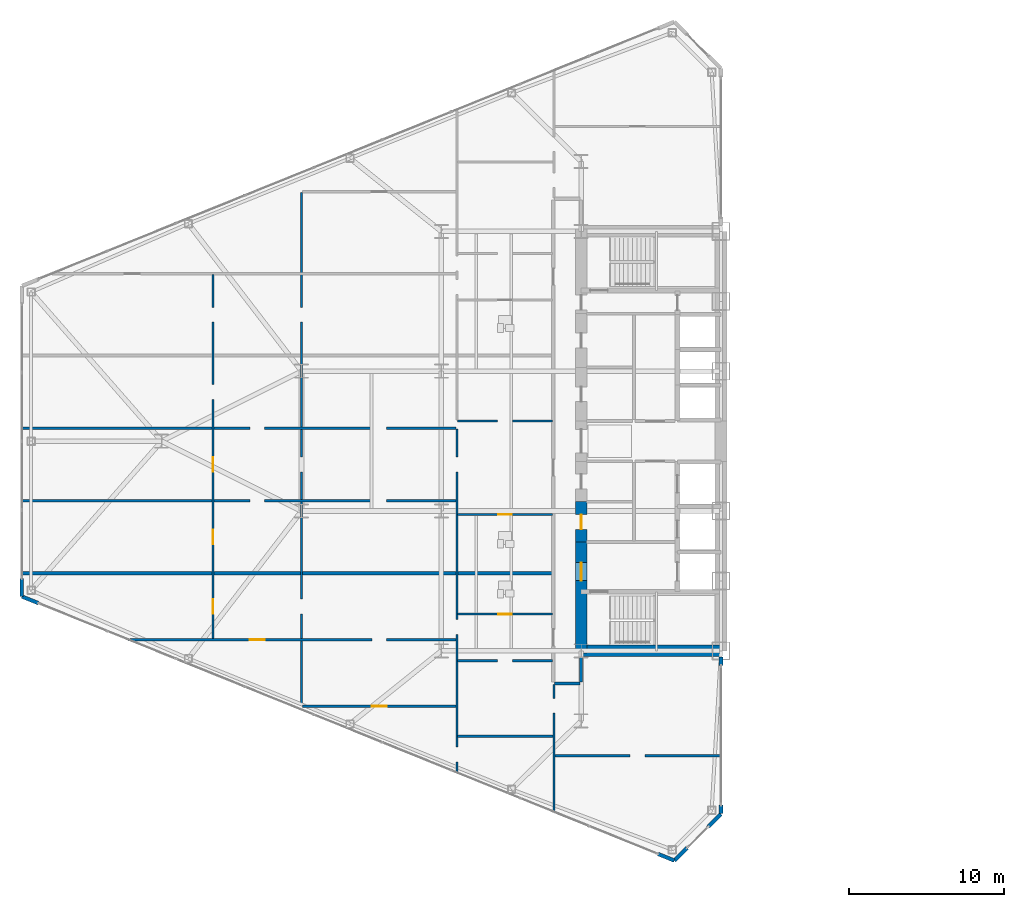
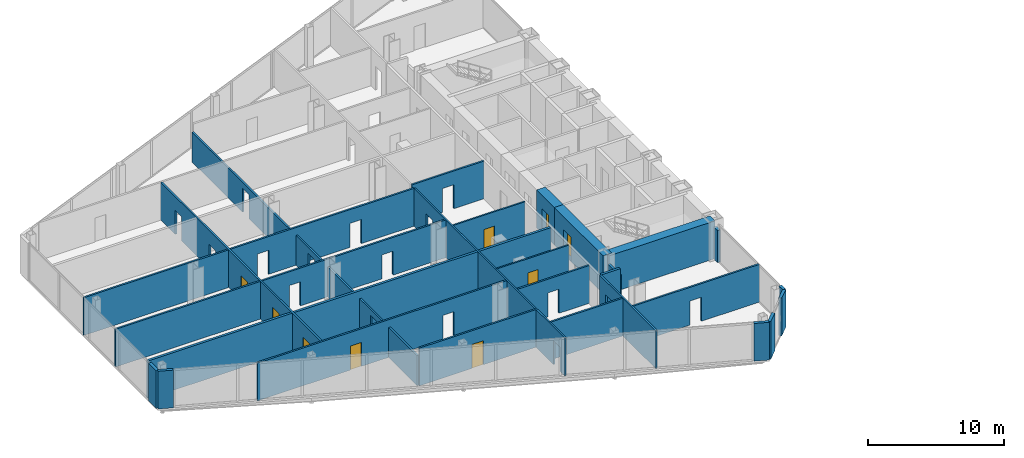
# One storey, part 17 of 25: 27 walls, 9 doors, 26 openings.
"""IFC4 building model written with IfcOpenShell, lengths in metres."""

from ifc_helpers import new_model, si_unit, direction, frame, frame_2d, origin, place, context, subcontext, project, spatial, rectangle, extrude, source, transform, mapped, material, layer, layer_set, type_object, type_shapes, element, fill, save


model = new_model("IFC4")

# Units and contexts
model_context = context("Model", 3, precision=1e-05, world=origin(), true_north=direction((0.0, 1.0)))
body_context = subcontext(model_context, "Body", "Model", "MODEL_VIEW")
ifc_project = project(units=[si_unit("LENGTHUNIT", "METRE"), si_unit("AREAUNIT", "SQUARE_METRE"), si_unit("VOLUMEUNIT", "CUBIC_METRE"), si_unit("PLANEANGLEUNIT", "RADIAN"), si_unit("MASSUNIT", "GRAM", prefix="KILO")], contexts=[model_context])

# Site, building, storey
site_placement = place(None, origin())
site = spatial("IfcSite", under=ifc_project, at=site_placement, CompositionType="ELEMENT")
building_placement = place(site_placement, origin())
building = spatial("IfcBuilding", under=site, at=building_placement, Name="Seokmaru Belvedere", CompositionType="ELEMENT")
storey_placement = place(building_placement, frame((0.0, 0.0, 51.300048828125)))
storey = spatial("IfcBuildingStorey", under=building, at=storey_placement, Name="L13", CompositionType="ELEMENT", Elevation=51.300048828125)

# Wall, opening
ifc_material_1 = material(Name="Fire-Rated Gypsum Shaftwall")
ifc_layer_1 = layer(ifc_material_1, 0.14990234375)
ifc_layer_set_1 = layer_set([ifc_layer_1], Name="Fire-Rated Gypsum Shaftwall")
wall_type_1 = type_object("IfcWallType", Name="Apartment Fire-Acoustic Room Partition 150", PredefinedType="PARTITIONING", material=ifc_layer_set_1)
wall_1_placement = place(storey_placement, frame((-38.199951171875, -20.25, 0.0), z_axis=(0.0, 0.0, 1.0), x_axis=(1.0, 0.0, 0.0)))
wall_1 = element("IfcWall", 1, at=wall_1_placement, inside=storey, type_object=wall_type_1, Name="L13 Interior Partition 001", PredefinedType="PARTITIONING", context=body_context, shape_type="SweptSolid", body=[
    extrude(rectangle(XDim=10.73486328125, YDim=0.14990234375, at=frame_2d((5.367431640625, 0.0))), origin(), (0.0, 0.0, 1.0), 3.3798828125),
])
opening_1_placement = place(wall_1_placement, frame((4.85009765625, 0.0, 0.0)))
element("IfcOpeningElement", 2, at=opening_1_placement, cuts=wall_1, Name="L13 Cased Opening 012", PredefinedType="OPENING", context=body_context, shape_type="SweptSolid", body=[
    extrude(rectangle(XDim=0.949951171875, YDim=2.14990234375, at=frame_2d((0.47509765625, 1.074951171875))), frame((0.0, 0.0849609375, 0.0), z_axis=(0.0, -1.0, 0.0), x_axis=(1.0, 0.0, 0.0)), (0.0, 0.0, 1.0), 0.169921875),
])

# Wall
wall_2_placement = place(storey_placement, frame((-44.449951171875, -19.0, 0.0), z_axis=(0.0, 0.0, 1.0), x_axis=(1.0, 0.0, 0.0)))
element("IfcWall", 3, at=wall_2_placement, inside=storey, type_object=wall_type_1, Name="L13 Interior Partition 002", PredefinedType="PARTITIONING", context=body_context, shape_type="SweptSolid", body=[
    extrude(rectangle(XDim=6.14990234375, YDim=0.14990234375, at=frame_2d((3.074951171875, 0.0))), origin(), (0.0, 0.0, 1.0), 3.3798828125),
])

# Wall, opening, door
wall_3_placement = place(storey_placement, frame((-54.449951171875, -17.06005859375, 0.0), z_axis=(0.0, 0.0, 1.0), x_axis=(1.0, 0.0, 0.0)))
wall_3 = element("IfcWall", 4, at=wall_3_placement, inside=storey, type_object=wall_type_1, Name="L13 Interior Partition 003", PredefinedType="PARTITIONING", context=body_context, shape_type="SweptSolid", body=[
    extrude(rectangle(XDim=9.89990234375, YDim=0.14990234375, at=frame_2d((4.949951171875, 0.0))), origin(), (0.0, 0.0, 1.0), 3.3798828125),
])
opening_2_placement = place(wall_3_placement, frame((4.47509765625, 0.0, 0.0)))
opening_2 = element("IfcOpeningElement", 5, at=opening_2_placement, cuts=wall_3, Name="Opening D05", PredefinedType="OPENING", context=body_context, shape_type="SweptSolid", body=[
    extrude(rectangle(XDim=0.949951171875, YDim=2.14990234375, at=frame_2d((0.47509765625, 1.074951171875))), frame((0.0, 0.0849609375, 0.0), z_axis=(0.0, -1.0, 0.0), x_axis=(1.0, 0.0, 0.0)), (0.0, 0.0, 1.0), 0.169921875),
])
ifc_material_2 = material(Name="Engineered White Oak Timber", Category="wood")
door_type_1 = type_object("IfcDoorType", Name="Apartment Interior Fire-Rated Oak Door 950x2150", OperationType="NOTDEFINED", PredefinedType="DOOR", material=ifc_material_2)
shared_shape_1 = source(origin(), body_context, "Body", "SweptSolid", [
    extrude(rectangle(XDim=0.949951171875, YDim=2.14990234375, at=frame_2d((0.47509765625, 1.074951171875))), frame((0.0, 0.02490234375, 0.0), z_axis=(0.0, -1.0, 0.0), x_axis=(1.0, 0.0, 0.0)), (0.0, 0.0, 1.0), 0.050048828125),
])
type_shapes(door_type_1, [shared_shape_1])
door_1_placement = place(opening_2_placement, origin())
door_1 = element("IfcDoor", 6, at=door_1_placement, inside=storey, type_object=door_type_1, Name="L13 Interior Door 009", OperationType="SINGLE_SWING_RIGHT", OverallHeight=2.14990234375, OverallWidth=0.949951171875, PredefinedType="DOOR", context=body_context, shape_type="MappedRepresentation", body=[
    mapped(shared_shape_1, transform((0.0, 0.0, 0.0), scale=1.0)),
])
fill(opening_2, door_1)

# Wall, opening
wall_4_placement = place(storey_placement, frame((-44.449951171875, -14.139892578125, 0.0), z_axis=(0.0, 0.0, 1.0), x_axis=(1.0, 0.0, 0.0)))
wall_4 = element("IfcWall", 7, at=wall_4_placement, inside=storey, type_object=wall_type_1, Name="L13 Interior Partition 006", PredefinedType="PARTITIONING", context=body_context, shape_type="SweptSolid", body=[
    extrude(rectangle(XDim=6.099853515625, YDim=0.14990234375, at=frame_2d((3.0498046875, 0.0))), origin(), (0.0, 0.0, 1.0), 3.3798828125),
])
opening_3_placement = place(wall_4_placement, frame((2.574951171875, 0.0, 0.0)))
element("IfcOpeningElement", 8, at=opening_3_placement, cuts=wall_4, Name="L13 Cased Opening 003", PredefinedType="OPENING", context=body_context, shape_type="SweptSolid", body=[
    extrude(rectangle(XDim=0.949951171875, YDim=2.14990234375, at=frame_2d((0.47509765625, 1.074951171875))), frame((0.0, 0.0849609375, 0.0), z_axis=(0.0, -1.0, 0.0), x_axis=(1.0, 0.0, 0.0)), (0.0, 0.0, 1.0), 0.169921875),
])

# Wall, openings, door
wall_5_placement = place(storey_placement, frame((-65.672119140625, -12.780029296875, 0.0), z_axis=(0.0, 0.0, 1.0), x_axis=(1.0, 0.0, 0.0)))
wall_5 = element("IfcWall", 9, at=wall_5_placement, inside=storey, type_object=wall_type_1, Name="L13 Interior Partition 007", PredefinedType="PARTITIONING", context=body_context, shape_type="SweptSolid", body=[
    extrude(rectangle(XDim=21.1220703125, YDim=0.14990234375, at=frame_2d((10.56103515625, 0.0))), origin(), (0.0, 0.0, 1.0), 3.3798828125),
])
opening_4_placement = place(wall_5_placement, frame((15.697021484375, 0.0, 0.0)))
element("IfcOpeningElement", 10, at=opening_4_placement, cuts=wall_5, Name="L13 Cased Opening 006", PredefinedType="OPENING", context=body_context, shape_type="SweptSolid", body=[
    extrude(rectangle(XDim=0.949951171875, YDim=2.14990234375, at=frame_2d((0.47509765625, 1.074951171875))), frame((0.0, 0.0849609375, 0.0), z_axis=(0.0, -1.0, 0.0), x_axis=(1.0, 0.0, 0.0)), (0.0, 0.0, 1.0), 0.169921875),
])
opening_5_placement = place(wall_5_placement, frame((7.846923828125, 0.0, 0.0)))
opening_5 = element("IfcOpeningElement", 11, at=opening_5_placement, cuts=wall_5, Name="Opening D05", PredefinedType="OPENING", context=body_context, shape_type="SweptSolid", body=[
    extrude(rectangle(XDim=0.949951171875, YDim=2.14990234375, at=frame_2d((0.47509765625, 1.074951171875))), frame((0.0, 0.0849609375, 0.0), z_axis=(0.0, -1.0, 0.0), x_axis=(1.0, 0.0, 0.0)), (0.0, 0.0, 1.0), 0.169921875),
])
door_2_placement = place(opening_5_placement, origin())
door_2 = element("IfcDoor", 12, at=door_2_placement, inside=storey, type_object=door_type_1, Name="L13 Interior Door 007", OperationType="SINGLE_SWING_LEFT", OverallHeight=2.14990234375, OverallWidth=0.949951171875, PredefinedType="DOOR", context=body_context, shape_type="MappedRepresentation", body=[
    mapped(shared_shape_1, transform((0.0, 0.0, 0.0), scale=1.0)),
])
fill(opening_5, door_2)

# Wall, openings
wall_6_placement = place(storey_placement, frame((-72.534912109375, -3.830078125, 0.0), z_axis=(0.0, 0.0, 1.0), x_axis=(1.0, 0.0, 0.0)))
wall_6 = element("IfcWall", 13, at=wall_6_placement, inside=storey, type_object=wall_type_1, Name="L13 Interior Partition 014", PredefinedType="PARTITIONING", context=body_context, shape_type="SweptSolid", body=[
    extrude(rectangle(XDim=27.98486328125, YDim=0.14990234375, at=frame_2d((13.992431640625, 0.0))), origin(), (0.0, 0.0, 1.0), 3.3798828125),
])
opening_6_placement = place(wall_6_placement, frame((22.56005859375, 0.0, 0.0)))
element("IfcOpeningElement", 14, at=opening_6_placement, cuts=wall_6, Name="L13 Cased Opening 018", PredefinedType="OPENING", context=body_context, shape_type="SweptSolid", body=[
    extrude(rectangle(XDim=0.949951171875, YDim=2.14990234375, at=frame_2d((0.47509765625, 1.074951171875))), frame((0.0, 0.0849609375, 0.0), z_axis=(0.0, -1.0, 0.0), x_axis=(1.0, 0.0, 0.0)), (0.0, 0.0, 1.0), 0.169921875),
])
opening_7_placement = place(wall_6_placement, frame((14.7099609375, 0.0, 0.0)))
element("IfcOpeningElement", 15, at=opening_7_placement, cuts=wall_6, Name="L13 Cased Opening 020", PredefinedType="OPENING", context=body_context, shape_type="SweptSolid", body=[
    extrude(rectangle(XDim=0.949951171875, YDim=2.14990234375, at=frame_2d((0.47509765625, 1.074951171875))), frame((0.0, 0.0849609375, 0.0), z_axis=(0.0, -1.0, 0.0), x_axis=(1.0, 0.0, 0.0)), (0.0, 0.0, 1.0), 0.169921875),
])

wall_7_placement = place(storey_placement, frame((-72.534912109375, 0.830078125, 0.0), z_axis=(0.0, 0.0, 1.0), x_axis=(1.0, 0.0, 0.0)))
wall_7 = element("IfcWall", 16, at=wall_7_placement, inside=storey, type_object=wall_type_1, Name="L13 Interior Partition 017", PredefinedType="PARTITIONING", context=body_context, shape_type="SweptSolid", body=[
    extrude(rectangle(XDim=27.98486328125, YDim=0.14990234375, at=frame_2d((13.992431640625, 0.0))), origin(), (0.0, 0.0, 1.0), 3.3798828125),
])
opening_8_placement = place(wall_7_placement, frame((22.56005859375, 0.0, 0.0)))
element("IfcOpeningElement", 17, at=opening_8_placement, cuts=wall_7, Name="L13 Cased Opening 019", PredefinedType="OPENING", context=body_context, shape_type="SweptSolid", body=[
    extrude(rectangle(XDim=0.949951171875, YDim=2.14990234375, at=frame_2d((0.47509765625, 1.074951171875))), frame((0.0, 0.0849609375, 0.0), z_axis=(0.0, -1.0, 0.0), x_axis=(1.0, 0.0, 0.0)), (0.0, 0.0, 1.0), 0.169921875),
])
opening_9_placement = place(wall_7_placement, frame((14.7099609375, 0.0, 0.0)))
element("IfcOpeningElement", 18, at=opening_9_placement, cuts=wall_7, Name="L13 Cased Opening 023", PredefinedType="OPENING", context=body_context, shape_type="SweptSolid", body=[
    extrude(rectangle(XDim=0.949951171875, YDim=2.14990234375, at=frame_2d((0.47509765625, 1.074951171875))), frame((0.0, 0.0849609375, 0.0), z_axis=(0.0, -1.0, 0.0), x_axis=(1.0, 0.0, 0.0)), (0.0, 0.0, 1.0), 0.169921875),
])

# Wall, opening
wall_8_placement = place(storey_placement, frame((-44.449951171875, 1.300048828125, 0.0), z_axis=(0.0, 0.0, 1.0), x_axis=(1.0, 0.0, 0.0)))
wall_8 = element("IfcWall", 19, at=wall_8_placement, inside=storey, type_object=wall_type_1, Name="L13 Interior Partition 018", PredefinedType="PARTITIONING", context=body_context, shape_type="SweptSolid", body=[
    extrude(rectangle(XDim=6.099853515625, YDim=0.14990234375, at=frame_2d((3.0498046875, 0.0))), origin(), (0.0, 0.0, 1.0), 3.3798828125),
])
opening_10_placement = place(wall_8_placement, frame((2.574951171875, 0.0, 0.0)))
element("IfcOpeningElement", 20, at=opening_10_placement, cuts=wall_8, Name="L13 Cased Opening 015", PredefinedType="OPENING", context=body_context, shape_type="SweptSolid", body=[
    extrude(rectangle(XDim=0.949951171875, YDim=2.14990234375, at=frame_2d((0.47509765625, 1.074951171875))), frame((0.0, 0.0849609375, 0.0), z_axis=(0.0, -1.0, 0.0), x_axis=(1.0, 0.0, 0.0)), (0.0, 0.0, 1.0), 0.169921875),
])

# Wall, openings, doors
wall_9_placement = place(storey_placement, frame((-60.199951171875, -12.72802734375, 0.0), z_axis=(0.0, 0.0, 1.0), x_axis=(0.0, 1.0, 0.0)))
wall_9 = element("IfcWall", 21, at=wall_9_placement, inside=storey, type_object=wall_type_1, Name="L13 Interior Partition 034", PredefinedType="PARTITIONING", context=body_context, shape_type="SweptSolid", body=[
    extrude(rectangle(XDim=23.4560546875, YDim=0.14990234375, at=frame_2d((11.72802734375, 0.0))), origin(), (0.0, 0.0, 1.0), 3.3798828125),
])
opening_11_placement = place(wall_9_placement, frame((1.614013671875, 0.0, 0.0)))
opening_11 = element("IfcOpeningElement", 22, at=opening_11_placement, cuts=wall_9, Name="Opening D05", PredefinedType="OPENING", context=body_context, shape_type="SweptSolid", body=[
    extrude(rectangle(XDim=0.949951171875, YDim=2.14990234375, at=frame_2d((0.47509765625, 1.074951171875))), frame((0.0, 0.0849609375, 0.0), z_axis=(0.0, -1.0, 0.0), x_axis=(1.0, 0.0, 0.0)), (0.0, 0.0, 1.0), 0.169921875),
])
opening_12_placement = place(wall_9_placement, frame((6.08642578125, 0.0, 0.0)))
opening_12 = element("IfcOpeningElement", 23, at=opening_12_placement, cuts=wall_9, Name="Opening D05", PredefinedType="OPENING", context=body_context, shape_type="SweptSolid", body=[
    extrude(rectangle(XDim=0.949951171875, YDim=2.14990234375, at=frame_2d((0.47509765625, 1.074951171875))), frame((0.0, 0.0849609375, 0.0), z_axis=(0.0, -1.0, 0.0), x_axis=(1.0, 0.0, 0.0)), (0.0, 0.0, 1.0), 0.169921875),
])
opening_13_placement = place(wall_9_placement, frame((10.7529296875, 0.0, 0.0)))
opening_13 = element("IfcOpeningElement", 24, at=opening_13_placement, cuts=wall_9, Name="Opening D05", PredefinedType="OPENING", context=body_context, shape_type="SweptSolid", body=[
    extrude(rectangle(XDim=0.949951171875, YDim=2.14990234375, at=frame_2d((0.47509765625, 1.074951171875))), frame((0.0, 0.0849609375, 0.0), z_axis=(0.0, -1.0, 0.0), x_axis=(1.0, 0.0, 0.0)), (0.0, 0.0, 1.0), 0.169921875),
])
opening_14_placement = place(wall_9_placement, frame((15.419677734375, 0.0, 0.0)))
element("IfcOpeningElement", 25, at=opening_14_placement, cuts=wall_9, Name="L13 Cased Opening 024", PredefinedType="OPENING", context=body_context, shape_type="SweptSolid", body=[
    extrude(rectangle(XDim=0.949951171875, YDim=2.14990234375, at=frame_2d((0.47509765625, 1.074951171875))), frame((0.0, 0.0849609375, 0.0), z_axis=(0.0, -1.0, 0.0), x_axis=(1.0, 0.0, 0.0)), (0.0, 0.0, 1.0), 0.169921875),
])
opening_15_placement = place(wall_9_placement, frame((20.391845703125, 0.0, 0.0)))
element("IfcOpeningElement", 26, at=opening_15_placement, cuts=wall_9, Name="L13 Cased Opening 031", PredefinedType="OPENING", context=body_context, shape_type="SweptSolid", body=[
    extrude(rectangle(XDim=0.949951171875, YDim=2.14990234375, at=frame_2d((0.47509765625, 1.074951171875))), frame((0.0, 0.0849609375, 0.0), z_axis=(0.0, -1.0, 0.0), x_axis=(1.0, 0.0, 0.0)), (0.0, 0.0, 1.0), 0.169921875),
])
door_3_placement = place(opening_11_placement, origin())
door_3 = element("IfcDoor", 27, at=door_3_placement, inside=storey, type_object=door_type_1, Name="L13 Interior Door 008", OperationType="SINGLE_SWING_RIGHT", OverallHeight=2.14990234375, OverallWidth=0.949951171875, PredefinedType="DOOR", context=body_context, shape_type="MappedRepresentation", body=[
    mapped(shared_shape_1, transform((0.0, 0.0, 0.0), scale=1.0)),
])
fill(opening_11, door_3)
door_4_placement = place(opening_12_placement, origin())
door_4 = element("IfcDoor", 28, at=door_4_placement, inside=storey, type_object=door_type_1, Name="L13 Interior Door 021", OperationType="SINGLE_SWING_RIGHT", OverallHeight=2.14990234375, OverallWidth=0.949951171875, PredefinedType="DOOR", context=body_context, shape_type="MappedRepresentation", body=[
    mapped(shared_shape_1, transform((0.0, 0.0, 0.0), scale=1.0)),
])
fill(opening_12, door_4)
door_5_placement = place(opening_13_placement, origin())
door_5 = element("IfcDoor", 29, at=door_5_placement, inside=storey, type_object=door_type_1, Name="L13 Interior Door 022", OperationType="SINGLE_SWING_RIGHT", OverallHeight=2.14990234375, OverallWidth=0.949951171875, PredefinedType="DOOR", context=body_context, shape_type="MappedRepresentation", body=[
    mapped(shared_shape_1, transform((0.0, 0.0, 0.0), scale=1.0)),
])
fill(opening_13, door_5)

# Wall, openings
wall_10_placement = place(storey_placement, frame((-54.5, -17.006103515625, 0.0), z_axis=(0.0, 0.0, 1.0), x_axis=(0.0, 1.0, 0.0)))
wall_10 = element("IfcWall", 30, at=wall_10_placement, inside=storey, type_object=wall_type_1, Name="L13 Interior Partition 035", PredefinedType="PARTITIONING", context=body_context, shape_type="SweptSolid", body=[
    extrude(rectangle(XDim=33.01220703125, YDim=0.14990234375, at=frame_2d((16.506103515625, 0.0))), origin(), (0.0, 0.0, 1.0), 2.679931640625),
])
opening_16_placement = place(wall_10_placement, frame((5.89208984375, 0.0, 0.0)))
element("IfcOpeningElement", 31, at=opening_16_placement, cuts=wall_10, Name="L13 Cased Opening 005", PredefinedType="OPENING", context=body_context, shape_type="SweptSolid", body=[
    extrude(rectangle(XDim=0.949951171875, YDim=2.14990234375, at=frame_2d((0.47509765625, 1.074951171875))), frame((0.0, 0.0849609375, 0.0), z_axis=(0.0, -1.0, 0.0), x_axis=(1.0, 0.0, 0.0)), (0.0, 0.0, 1.0), 0.169921875),
])
opening_17_placement = place(wall_10_placement, frame((15.031005859375, 0.0, 0.0)))
element("IfcOpeningElement", 32, at=opening_17_placement, cuts=wall_10, Name="L13 Cased Opening 017", PredefinedType="OPENING", context=body_context, shape_type="SweptSolid", body=[
    extrude(rectangle(XDim=0.949951171875, YDim=2.14990234375, at=frame_2d((0.47509765625, 1.074951171875))), frame((0.0, 0.0849609375, 0.0), z_axis=(0.0, -1.0, 0.0), x_axis=(1.0, 0.0, 0.0)), (0.0, 0.0, 1.0), 0.169921875),
])
opening_18_placement = place(wall_10_placement, frame((24.669921875, 0.0, 0.0)))
element("IfcOpeningElement", 33, at=opening_18_placement, cuts=wall_10, Name="L13 Cased Opening 030", PredefinedType="OPENING", context=body_context, shape_type="SweptSolid", body=[
    extrude(rectangle(XDim=0.949951171875, YDim=2.14990234375, at=frame_2d((0.47509765625, 1.074951171875))), frame((0.0, 0.0849609375, 0.0), z_axis=(0.0, -1.0, 0.0), x_axis=(1.0, 0.0, 0.0)), (0.0, 0.0, 1.0), 0.169921875),
])

# Wall, opening
wall_11_placement = place(storey_placement, frame((-38.25, -23.89794921875, 0.0), z_axis=(0.0, 0.0, 1.0), x_axis=(0.0, 1.0, 0.0)))
wall_11 = element("IfcWall", 34, at=wall_11_placement, inside=storey, type_object=wall_type_1, Name="L13 Interior Partition 039", PredefinedType="PARTITIONING", context=body_context, shape_type="SweptSolid", body=[
    extrude(rectangle(XDim=8.248046875, YDim=0.14990234375, at=frame_2d((4.1240234375, 0.0))), origin(), (0.0, 0.0, 1.0), 3.3798828125),
])
opening_19_placement = place(wall_11_placement, frame((6.390869140625, 0.0, 0.0)))
element("IfcOpeningElement", 35, at=opening_19_placement, cuts=wall_11, Name="L13 Cased Opening 011", PredefinedType="OPENING", context=body_context, shape_type="SweptSolid", body=[
    extrude(rectangle(XDim=0.949951171875, YDim=2.14990234375, at=frame_2d((0.47509765625, 1.074951171875))), frame((0.0, 0.0849609375, 0.0), z_axis=(0.0, -1.0, 0.0), x_axis=(1.0, 0.0, 0.0)), (0.0, 0.0, 1.0), 0.169921875),
])

# Walls
ifc_layer_2 = layer(ifc_material_1, 0.199951171875)
ifc_layer_set_2 = layer_set([ifc_layer_2], Name="Fire-Rated Gypsum Shaftwall")
wall_type_2 = type_object("IfcWallType", Name="Inter-Tenancy Fire Compartment Partition 200", PredefinedType="PARTITIONING", material=ifc_layer_set_2)
wall_12_placement = place(storey_placement, frame((-38.215087890625, -15.60009765625, 0.0), z_axis=(0.0, 0.0, 1.0), x_axis=(1.0, 0.0, 0.0)))
element("IfcWall", 36, at=wall_12_placement, inside=storey, type_object=wall_type_2, Name="L13 Interior Partition 004", PredefinedType="PARTITIONING", context=body_context, shape_type="SweptSolid", body=[
    extrude(rectangle(XDim=1.630126953125, YDim=0.199951171875, at=frame_2d((0.81494140625, 0.0))), origin(), (0.0, 0.0, 1.0), 3.3798828125),
])
wall_13_placement = place(storey_placement, frame((-72.5048828125, -8.5, 0.0), z_axis=(0.0, 0.0, 1.0), x_axis=(1.0, 0.0, 0.0)))
element("IfcWall", 37, at=wall_13_placement, inside=storey, type_object=wall_type_2, Name="L13 Interior Partition 011", PredefinedType="PARTITIONING", context=body_context, shape_type="SweptSolid", body=[
    extrude(rectangle(XDim=34.125, YDim=0.199951171875, at=frame_2d((17.0625, 0.0))), origin(), (0.0, 0.0, 1.0), 3.3798828125),
])
wall_14_placement = place(storey_placement, frame((-36.5, -15.514892578125, 0.0), z_axis=(0.0, 0.0, 1.0), x_axis=(0.0, 1.0, 0.0)))
element("IfcWall", 38, at=wall_14_placement, inside=storey, type_object=wall_type_2, Name="L13 Interior Partition 041", PredefinedType="PARTITIONING", context=body_context, shape_type="SweptSolid", body=[
    extrude(rectangle(XDim=1.635009765625, YDim=0.199951171875, at=frame_2d((0.8173828125, 0.0))), origin(), (0.0, 0.0, 1.0), 2.679931640625),
])
ifc_material_3 = material(Name="Concrete C60 (60 MPa)", Category="concrete")
ifc_layer_3 = layer(ifc_material_3, 0.75)
ifc_layer_set_3 = layer_set([ifc_layer_3], Name="Concrete C60 (60 MPa)")
wall_type_3 = type_object("IfcWallType", Name="Lower Tower Reinforced Concrete Core Wall 750", PredefinedType="SHEAR", material=ifc_layer_set_3)
wall_15_placement = place(storey_placement, frame((-36.5, -13.5, 0.0), z_axis=(0.0, 0.0, 1.0), x_axis=(1.0, 0.0, 0.0)))
element("IfcWall", 39, at=wall_15_placement, inside=storey, type_object=wall_type_3, Name="L13 West South Core Wall", PredefinedType="SHEAR", context=body_context, shape_type="SweptSolid", body=[
    extrude(rectangle(XDim=9.0, YDim=0.75, at=frame_2d((4.5, 0.0))), origin(), (0.0, 0.0, 1.0), 3.3798828125),
])

# Wall, opening, door
wall_16_placement = place(storey_placement, frame((-36.5, -13.64990234375, 0.0), z_axis=(0.0, 0.0, 1.0), x_axis=(0.0, 1.0, 0.0)))
wall_16 = element("IfcWall", 40, at=wall_16_placement, inside=storey, type_object=wall_type_3, Name="L13 West West Core Wall FF", PredefinedType="SHEAR", context=body_context, shape_type="SweptSolid", body=[
    extrude(rectangle(XDim=7.14990234375, YDim=0.75, at=frame_2d((3.574951171875, 0.0))), origin(), (0.0, 0.0, 1.0), 3.3798828125),
])
opening_20_placement = place(wall_16_placement, frame((4.675048828125, 0.0, 0.0)))
opening_20 = element("IfcOpeningElement", 41, at=opening_20_placement, cuts=wall_16, Name="Opening D02", PredefinedType="OPENING", context=body_context, shape_type="SweptSolid", body=[
    extrude(rectangle(XDim=1.14990234375, YDim=2.199951171875, at=frame_2d((0.574951171875, 1.10009765625))), frame((0.0, 0.385009765625, 0.0), z_axis=(0.0, -1.0, 0.0), x_axis=(1.0, 0.0, 0.0)), (0.0, 0.0, 1.0), 0.77001953125),
])
ifc_material_4 = material(Name="Fire-Rated Steel Leaf", Category="steel")
door_type_2 = type_object("IfcDoorType", Name="Lobby and Vestibule Fire Door 1150x2200", OperationType="NOTDEFINED", PredefinedType="DOOR", material=ifc_material_4)
shared_shape_2 = source(origin(), body_context, "Body", "SweptSolid", [
    extrude(rectangle(XDim=1.14990234375, YDim=2.199951171875, at=frame_2d((0.574951171875, 1.10009765625))), frame((0.0, 0.02490234375, 0.0), z_axis=(0.0, -1.0, 0.0), x_axis=(1.0, 0.0, 0.0)), (0.0, 0.0, 1.0), 0.050048828125),
])
type_shapes(door_type_2, [shared_shape_2])
door_6_placement = place(opening_20_placement, frame((1.14990234375, 0.0, 0.0), z_axis=(0.0, 0.0, 1.0), x_axis=(-1.0, 0.0, 0.0)))
door_6 = element("IfcDoor", 42, at=door_6_placement, inside=storey, type_object=door_type_2, Name="L13 West Firefighting Lobby Door", OperationType="SINGLE_SWING_LEFT", OverallHeight=2.199951171875, OverallWidth=1.14990234375, PredefinedType="DOOR", context=body_context, shape_type="MappedRepresentation", body=[
    mapped(shared_shape_2, transform((0.0, 0.0, 0.0), scale=1.0)),
])
fill(opening_20, door_6)

wall_17_placement = place(storey_placement, frame((-36.5, -6.5, 0.0), z_axis=(0.0, 0.0, 1.0), x_axis=(0.0, 1.0, 0.0)))
wall_17 = element("IfcWall", 43, at=wall_17_placement, inside=storey, type_object=wall_type_3, Name="L13 West West Core Wall CS1", PredefinedType="SHEAR", context=body_context, shape_type="SweptSolid", body=[
    extrude(rectangle(XDim=2.60009765625, YDim=0.75, at=frame_2d((1.300048828125, 0.0))), origin(), (0.0, 0.0, 1.0), 3.3798828125),
])
opening_21_placement = place(wall_17_placement, frame((0.824951171875, 0.0, 0.0)))
opening_21 = element("IfcOpeningElement", 44, at=opening_21_placement, cuts=wall_17, Name="Opening D04", PredefinedType="OPENING", context=body_context, shape_type="SweptSolid", body=[
    extrude(rectangle(XDim=0.949951171875, YDim=2.14990234375, at=frame_2d((0.47509765625, 1.074951171875))), frame((0.0, 0.385009765625, 0.0), z_axis=(0.0, -1.0, 0.0), x_axis=(1.0, 0.0, 0.0)), (0.0, 0.0, 1.0), 0.77001953125),
])
door_type_3 = type_object("IfcDoorType", Name="Core Service Room Fire Door 950x2150", OperationType="NOTDEFINED", PredefinedType="DOOR", material=ifc_material_4)
shared_shape_3 = source(origin(), body_context, "Body", "SweptSolid", [
    extrude(rectangle(XDim=0.949951171875, YDim=2.14990234375, at=frame_2d((0.47509765625, 1.074951171875))), frame((0.0, 0.02490234375, 0.0), z_axis=(0.0, -1.0, 0.0), x_axis=(1.0, 0.0, 0.0)), (0.0, 0.0, 1.0), 0.050048828125),
])
type_shapes(door_type_3, [shared_shape_3])
door_7_placement = place(opening_21_placement, origin())
door_7 = element("IfcDoor", 45, at=door_7_placement, inside=storey, type_object=door_type_3, Name="L13 West Core Service Room Door 1", OperationType="SINGLE_SWING_LEFT", OverallHeight=2.14990234375, OverallWidth=0.949951171875, PredefinedType="DOOR", context=body_context, shape_type="MappedRepresentation", body=[
    mapped(shared_shape_3, transform((0.0, 0.0, 0.0), scale=1.0)),
])
fill(opening_21, door_7)

ifc_layer_4 = layer(ifc_material_1, 0.1298828125)
ifc_layer_set_4 = layer_set([ifc_layer_4], Name="Fire-Rated Gypsum Shaftwall")
wall_type_4 = type_object("IfcWallType", Name="Moisture-Resistant Fire-Rated Bathroom Partition 130", PredefinedType="PARTITIONING", material=ifc_layer_set_4)
wall_18_placement = place(storey_placement, frame((-44.449951171875, -11.139892578125, 0.0), z_axis=(0.0, 0.0, 1.0), x_axis=(1.0, 0.0, 0.0)))
wall_18 = element("IfcWall", 46, at=wall_18_placement, inside=storey, type_object=wall_type_4, Name="L13 Interior Partition 009", PredefinedType="PARTITIONING", context=body_context, shape_type="SweptSolid", body=[
    extrude(rectangle(XDim=6.099853515625, YDim=0.1298828125, at=frame_2d((3.0498046875, 0.0))), origin(), (0.0, 0.0, 1.0), 3.3798828125),
])
opening_22_placement = place(wall_18_placement, frame((2.610107421875, 0.0, 0.0)))
opening_22 = element("IfcOpeningElement", 47, at=opening_22_placement, cuts=wall_18, Name="Opening D06", PredefinedType="OPENING", context=body_context, shape_type="SweptSolid", body=[
    extrude(rectangle(XDim=0.8798828125, YDim=2.10009765625, at=frame_2d((0.43994140625, 1.050048828125))), frame((0.0, 0.074951171875, 0.0), z_axis=(0.0, -1.0, 0.0), x_axis=(1.0, 0.0, 0.0)), (0.0, 0.0, 1.0), 0.14990234375),
])
door_type_4 = type_object("IfcDoorType", Name="Bathroom and Restroom Fire-Rated Door 880x2100", OperationType="NOTDEFINED", PredefinedType="DOOR", material=ifc_material_2)
shared_shape_4 = source(origin(), body_context, "Body", "SweptSolid", [
    extrude(rectangle(XDim=0.8798828125, YDim=2.10009765625, at=frame_2d((0.43994140625, 1.050048828125))), frame((0.0, 0.02490234375, 0.0), z_axis=(0.0, -1.0, 0.0), x_axis=(1.0, 0.0, 0.0)), (0.0, 0.0, 1.0), 0.050048828125),
])
type_shapes(door_type_4, [shared_shape_4])
door_8_placement = place(opening_22_placement, origin())
door_8 = element("IfcDoor", 48, at=door_8_placement, inside=storey, type_object=door_type_4, Name="L13 Interior Door 002", OperationType="SINGLE_SWING_LEFT", OverallHeight=2.10009765625, OverallWidth=0.8798828125, PredefinedType="DOOR", context=body_context, shape_type="MappedRepresentation", body=[
    mapped(shared_shape_4, transform((0.0, 0.0, 0.0), scale=1.0)),
])
fill(opening_22, door_8)

wall_19_placement = place(storey_placement, frame((-44.449951171875, -4.719970703125, 0.0), z_axis=(0.0, 0.0, 1.0), x_axis=(1.0, 0.0, 0.0)))
wall_19 = element("IfcWall", 49, at=wall_19_placement, inside=storey, type_object=wall_type_4, Name="L13 Interior Partition 013", PredefinedType="PARTITIONING", context=body_context, shape_type="SweptSolid", body=[
    extrude(rectangle(XDim=6.099853515625, YDim=0.1298828125, at=frame_2d((3.0498046875, 0.0))), origin(), (0.0, 0.0, 1.0), 3.3798828125),
])
opening_23_placement = place(wall_19_placement, frame((2.610107421875, 0.0, 0.0)))
opening_23 = element("IfcOpeningElement", 50, at=opening_23_placement, cuts=wall_19, Name="Opening D06", PredefinedType="OPENING", context=body_context, shape_type="SweptSolid", body=[
    extrude(rectangle(XDim=0.8798828125, YDim=2.10009765625, at=frame_2d((0.43994140625, 1.050048828125))), frame((0.0, 0.074951171875, 0.0), z_axis=(0.0, -1.0, 0.0), x_axis=(1.0, 0.0, 0.0)), (0.0, 0.0, 1.0), 0.14990234375),
])
door_9_placement = place(opening_23_placement, origin())
door_9 = element("IfcDoor", 51, at=door_9_placement, inside=storey, type_object=door_type_4, Name="L13 Interior Door 014", OperationType="SINGLE_SWING_LEFT", OverallHeight=2.10009765625, OverallWidth=0.8798828125, PredefinedType="DOOR", context=body_context, shape_type="MappedRepresentation", body=[
    mapped(shared_shape_4, transform((0.0, 0.0, 0.0), scale=1.0)),
])
fill(opening_23, door_9)

# Wall, openings
wall_20_placement = place(storey_placement, frame((-44.5, -21.367919921875, 0.0), z_axis=(0.0, 0.0, 1.0), x_axis=(0.0, 1.0, 0.0)))
wall_20 = element("IfcWall", 52, at=wall_20_placement, inside=storey, type_object=wall_type_4, Name="L13 Interior Partition 036", PredefinedType="PARTITIONING", context=body_context, shape_type="SweptSolid", body=[
    extrude(rectangle(XDim=22.15087890625, YDim=0.1298828125, at=frame_2d((11.075439453125, 0.0))), origin(), (0.0, 0.0, 1.0), 3.3798828125),
])
opening_24_placement = place(wall_20_placement, frame((8.931640625, 0.0, 0.0)))
element("IfcOpeningElement", 53, at=opening_24_placement, cuts=wall_20, Name="L13 Cased Opening 004", PredefinedType="OPENING", context=body_context, shape_type="SweptSolid", body=[
    extrude(rectangle(XDim=0.949951171875, YDim=2.14990234375, at=frame_2d((0.47509765625, 1.074951171875))), frame((0.0, 0.074951171875, 0.0), z_axis=(0.0, -1.0, 0.0), x_axis=(1.0, 0.0, 0.0)), (0.0, 0.0, 1.0), 0.14990234375),
])
opening_25_placement = place(wall_20_placement, frame((0.724365234375, 0.0, 0.0)))
element("IfcOpeningElement", 54, at=opening_25_placement, cuts=wall_20, Name="L13 Cased Opening 010", PredefinedType="OPENING", context=body_context, shape_type="SweptSolid", body=[
    extrude(rectangle(XDim=0.949951171875, YDim=2.14990234375, at=frame_2d((0.47509765625, 1.074951171875))), frame((0.0, 0.074951171875, 0.0), z_axis=(0.0, -1.0, 0.0), x_axis=(1.0, 0.0, 0.0)), (0.0, 0.0, 1.0), 0.14990234375),
])
opening_26_placement = place(wall_20_placement, frame((19.39306640625, 0.0, 0.0)))
element("IfcOpeningElement", 55, at=opening_26_placement, cuts=wall_20, Name="L13 Cased Opening 016", PredefinedType="OPENING", context=body_context, shape_type="SweptSolid", body=[
    extrude(rectangle(XDim=0.949951171875, YDim=2.14990234375, at=frame_2d((0.47509765625, 1.074951171875))), frame((0.0, 0.074951171875, 0.0), z_axis=(0.0, -1.0, 0.0), x_axis=(1.0, 0.0, 0.0)), (0.0, 0.0, 1.0), 0.14990234375),
])

# Walls
ifc_material_5 = material(Name="Anodised Bronze Aluminium", Category="aluminium")
ifc_layer_5 = layer(ifc_material_5, 0.239990234375)
ifc_layer_set_5 = layer_set([ifc_layer_5], Name="Anodised Bronze Aluminium")
wall_type_5 = type_object("IfcWallType", Name="Tower Corner Spandrel Closure Wall 240", PredefinedType="SOLIDWALL", material=ifc_layer_set_5)
wall_21_placement = place(storey_placement, frame((-27.5, -23.97998046875, 0.0), z_axis=(0.0, 0.0, 1.0), x_axis=(0.0, 1.0, 0.0)))
element("IfcWall", 56, at=wall_21_placement, inside=storey, type_object=wall_type_5, Name="L13 W Spine Closure Pier 1A", PredefinedType="SOLIDWALL", context=body_context, shape_type="SweptSolid", body=[
    extrude(rectangle(XDim=0.550048828125, YDim=0.239990234375, at=frame_2d((0.27490234375, 0.0))), origin(), (0.0, 0.0, 1.0), 3.3798828125),
])
wall_22_placement = place(storey_placement, frame((-27.5, -14.429931640625, 0.0), z_axis=(0.0, 0.0, 1.0), x_axis=(0.0, 1.0, 0.0)))
element("IfcWall", 57, at=wall_22_placement, inside=storey, type_object=wall_type_5, Name="L13 W Spine Closure Pier 1B", PredefinedType="SOLIDWALL", context=body_context, shape_type="SweptSolid", body=[
    extrude(rectangle(XDim=0.550048828125, YDim=0.239990234375, at=frame_2d((0.27490234375, 0.0))), origin(), (0.0, 0.0, 1.0), 2.8798828125),
])
for number, where, z_axis, x_axis, name in (
    (58, (-72.5, -8.85009765625, 0.0), (0.0, 0.0, 1.0), (0.0, -1.0, 0.0), "L13 W Corner Closure Pier 4B"),
    (59, (-72.49072265625, -10.00390625, 0.0), (0.0, 0.0, 1.0), (0.927007103665, -0.375043770452, 0.0), "L13 W Corner Closure Pier 5A"),
    (60, (-31.56591796875, -26.568603515625, 0.0), (0.0, 0.0, 1.0), (0.927007103665, -0.375043770452, 0.0), "L13 W Corner Closure Pier 5B"),
):
    element("IfcWall", number, at=place(storey_placement, frame(where, z_axis=z_axis, x_axis=x_axis)), inside=storey, type_object=wall_type_5, Name=name, PredefinedType="SOLIDWALL", context=body_context, shape_type="SweptSolid", body=[
        extrude(rectangle(XDim=1.139892578125, YDim=0.239990234375, at=frame_2d((0.56982421875, 0.0))), origin(), (0.0, 0.0, 1.0), 3.3798828125),
    ])
for number, where, z_axis, x_axis, name in (
    (61, (-30.492919921875, -26.992919921875, 0.0), (0.0, 0.0, 1.0), (0.707106781187, 0.707106781187, 0.0), "L13 W Corner Closure Pier 6A"),
    (62, (-28.313232421875, -24.813232421875, 0.0), (0.0, 0.0, 1.0), (0.707106781187, 0.707106781187, 0.0), "L13 W Corner Closure Pier 6B"),
):
    element("IfcWall", number, at=place(storey_placement, frame(where, z_axis=z_axis, x_axis=x_axis)), inside=storey, type_object=wall_type_5, Name=name, PredefinedType="SOLIDWALL", context=body_context, shape_type="SweptSolid", body=[
        extrude(rectangle(XDim=1.14013671875, YDim=0.239990234375, at=frame_2d((0.570068359375, 0.0))), origin(), (0.0, 0.0, 1.0), 3.3798828125),
    ])

save(model, "model.ifc")
